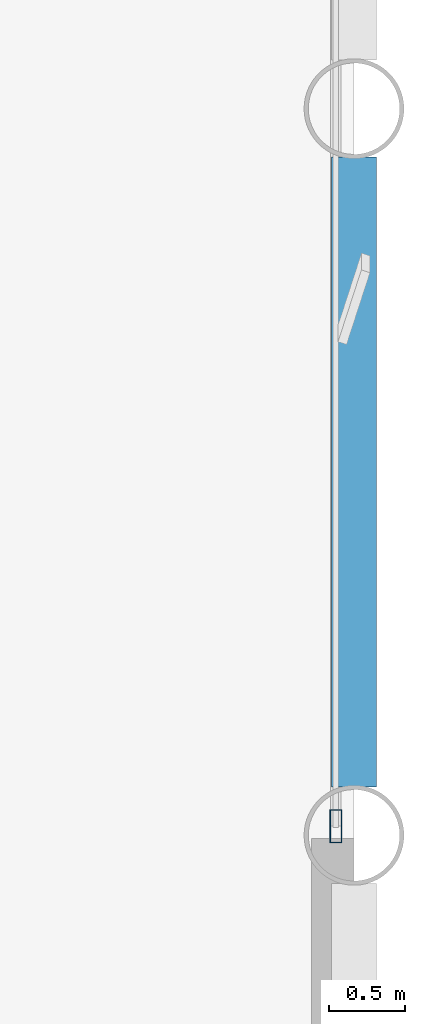
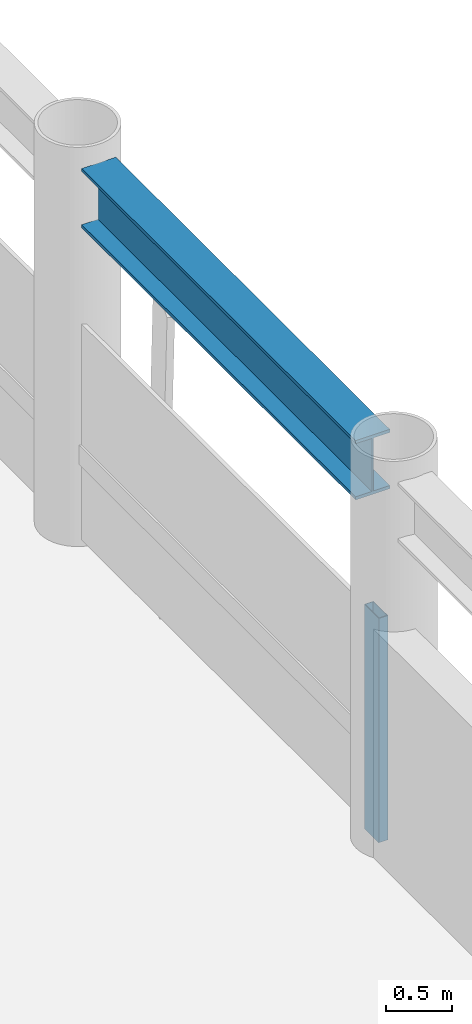
# One storey, part 8 of 22: 1 beam, 1 member, 1 element without a shape of its own.
"""IFC4 building model written with IfcOpenShell, lengths in metres."""

from ifc_helpers import new_model, si_unit, direction, frame, origin, origin_2d, place, context, subcontext, project, spatial, hollow_rectangle, i_section, extrude, material, layer, layer_set, material_profile, profile_set, type_object, element, aggregate, save


model = new_model("IFC4")

# Units and contexts
model_context = context("Model", 3, precision=1e-05, world=origin(), true_north=direction((0.0, 1.0)))
body_context = subcontext(model_context, "Body", "Model", "MODEL_VIEW")
ifc_project = project(units=[si_unit("LENGTHUNIT", "METRE"), si_unit("AREAUNIT", "SQUARE_METRE"), si_unit("VOLUMEUNIT", "CUBIC_METRE"), si_unit("PLANEANGLEUNIT", "RADIAN"), si_unit("MASSUNIT", "GRAM", prefix="KILO")], contexts=[model_context])

# Site, building, storey
site_placement = place(None, origin())
site = spatial("IfcSite", under=ifc_project, at=site_placement, CompositionType="ELEMENT")
building_placement = place(site_placement, origin())
building = spatial("IfcBuilding", under=site, at=building_placement, Name="Kallvorn Hotel Tower", CompositionType="ELEMENT")
storey_placement = place(building_placement, frame((0.0, 0.0, 102.60009765625)))
storey = spatial("IfcBuildingStorey", under=building, at=storey_placement, Name="L24", CompositionType="ELEMENT", Elevation=102.60009765625)

# Beam
ifc_material_1 = material(Name="Structural steel S355JR", Category="steel")
ifc_material_profile_1 = material_profile(ifc_material_1, i_section(OverallWidth=0.300048828125, OverallDepth=0.550048828125, WebThickness=0.014892578125, FlangeThickness=0.029052734375, at=origin_2d()), Name="HE 550 B")
ifc_profile_set_1 = profile_set([ifc_material_profile_1], Name="Structural steel S355JR")
beam_type = type_object("IfcBeamType", Name="BM_HE550B", PredefinedType="SPANDREL", material=ifc_profile_set_1)
beam_placement = place(storey_placement, frame((33.60009765625, 0.320068359375, 3.244873046875), z_axis=(0.0, 1.0, 0.0), x_axis=(-1.0, 0.0, 0.0)))
element("IfcBeam", 1, at=beam_placement, inside=storey, type_object=beam_type, Name="L25 Perimeter Spandrel 185", PredefinedType="SPANDREL", context=body_context, shape_type="SweptSolid", body=[
    extrude(i_section(OverallWidth=0.300048828125, OverallDepth=0.550048828125, WebThickness=0.014892578125, FlangeThickness=0.029052734375, at=origin_2d()), origin(), (0.0, 0.0, 1.0), 4.159912109375),
])

# Curtain wall, member
ifc_material_2 = material(Name="Thermally broken black-anodised aluminium AA 6063-T6", Category="aluminium")
ifc_layer = layer(ifc_material_2, 0.199951171875)
ifc_layer_set = layer_set([ifc_layer], Name="CW_SYS_3_HOTEL_LOW")
curtain_wall_type = type_object("IfcCurtainWallType", Name="CW_SYS_3_HOTEL_LOW", PredefinedType="USERDEFINED", material=ifc_layer_set)
curtain_wall_placement = place(storey_placement, origin())
curtain_wall = element("IfcCurtainWall", 2, at=curtain_wall_placement, inside=storey, type_object=curtain_wall_type, Name="L24 Dark-Glass Curtain Wall CW-L24-EN", ObjectType="UNITISED CURTAIN WALL", PredefinedType="USERDEFINED")
ifc_material_3 = material(Name="Thermally broken black-anodised aluminium AA 6063-T6", Category="aluminium")
ifc_material_profile_2 = material_profile(ifc_material_3, hollow_rectangle(XDim=0.080078125, YDim=0.219970703125, WallThickness=0.0048828125, at=origin_2d()), Name="MUL 220x80")
ifc_profile_set_2 = profile_set([ifc_material_profile_2], Name="Thermally broken black-anodised aluminium AA 6063-T6")
member_type = type_object("IfcMemberType", Name="CW_MULLION_220x80", PredefinedType="MULLION", material=ifc_profile_set_2)
member_placement = place(storey_placement, frame((33.47998046875, 0.06005859375, 0.02001953125), z_axis=(0.0, 0.0, 1.0), x_axis=(1.0, 0.0, 0.0)))
member = element("IfcMember", 3, at=member_placement, type_object=member_type, Name="CW-L24-EN Mullion 00", PredefinedType="MULLION", context=body_context, shape_type="SweptSolid", body=[
    extrude(hollow_rectangle(XDim=0.080078125, YDim=0.219970703125, WallThickness=0.0048828125, at=origin_2d()), origin(), (0.0, 0.0, 1.0), 2.079833984375),
])
aggregate(curtain_wall, [member])

save(model, "model.ifc")
